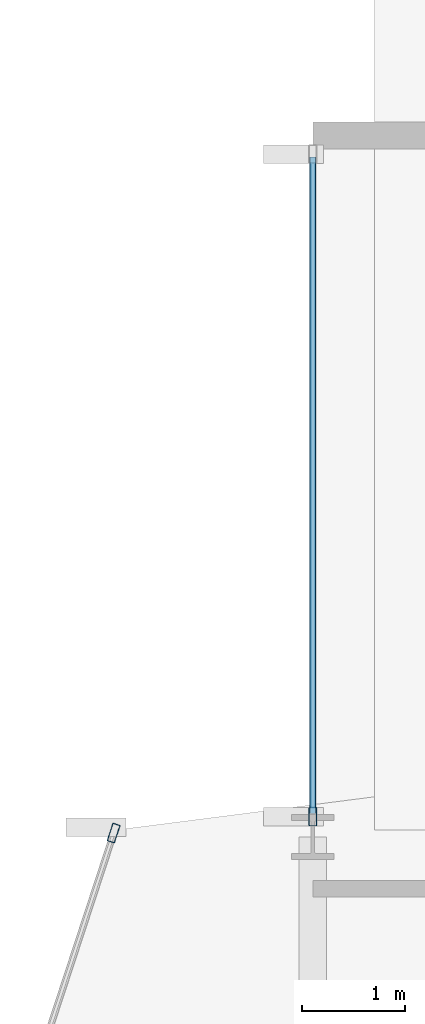
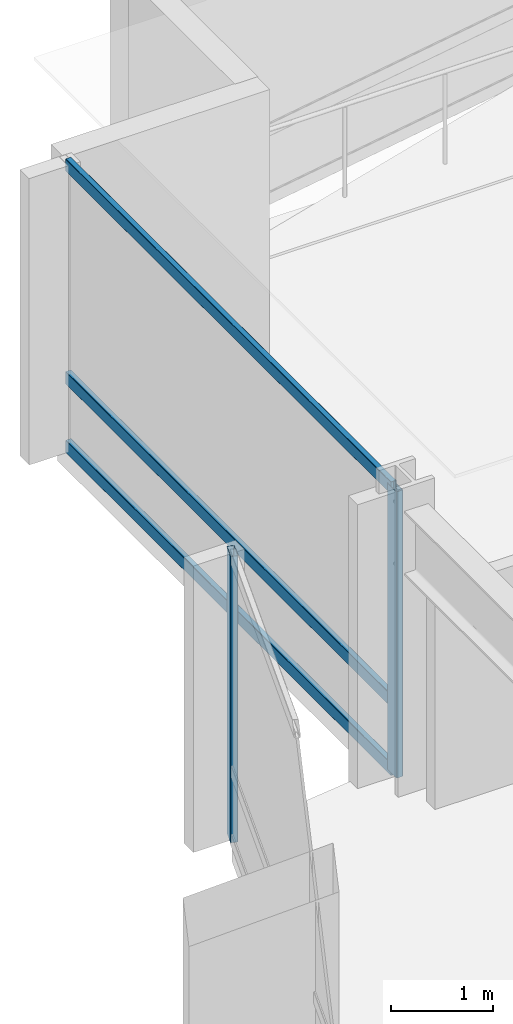
# One storey, part 16 of 29: 5 members, 2 elements without a shape of their own.
"""IFC4 building model written with IfcOpenShell, lengths in metres."""

from ifc_helpers import new_model, si_unit, direction, frame, origin, origin_2d, place, context, subcontext, project, spatial, hollow_rectangle, extrude, material, layer, layer_set, material_profile, profile_set, type_object, element, aggregate, save


model = new_model("IFC4")

# Units and contexts
model_context = context("Model", 3, precision=1e-05, world=origin(), true_north=direction((0.0, 1.0)))
body_context = subcontext(model_context, "Body", "Model", "MODEL_VIEW")
ifc_project = project(units=[si_unit("LENGTHUNIT", "METRE"), si_unit("AREAUNIT", "SQUARE_METRE"), si_unit("VOLUMEUNIT", "CUBIC_METRE"), si_unit("PLANEANGLEUNIT", "RADIAN"), si_unit("MASSUNIT", "GRAM", prefix="KILO")], contexts=[model_context])

# Site, building, storey
site_placement = place(None, origin())
site = spatial("IfcSite", under=ifc_project, at=site_placement, CompositionType="ELEMENT")
building_placement = place(site_placement, origin())
building = spatial("IfcBuilding", under=site, at=building_placement, Name="Solvaryn Broadcast Tower", CompositionType="ELEMENT")
storey_placement = place(building_placement, frame((0.0, 0.0, 143.300048828125)))
storey = spatial("IfcBuildingStorey", under=building, at=storey_placement, Name="L35", CompositionType="ELEMENT", Elevation=143.300048828125)

# Curtain wall, member
ifc_material_1 = material(Name="Aluminium and Terracotta Unitised Curtain Wall", Category="masonry")
ifc_layer = layer(ifc_material_1, 0.199951171875)
ifc_layer_set = layer_set([ifc_layer], Name="CW-SYS2-LOWMID")
curtain_wall_type = type_object("IfcCurtainWallType", Name="CW-SYS2-LOWMID", PredefinedType="NOTDEFINED", material=ifc_layer_set)
curtain_wall_1_placement = place(storey_placement, origin())
curtain_wall_1 = element("IfcCurtainWall", 1, at=curtain_wall_1_placement, inside=storey, type_object=curtain_wall_type, Name="L35 Curtain Wall DR1", PredefinedType="NOTDEFINED")
ifc_material_2 = material(Name="Anodised Aluminium 6063-T6", Category="aluminium")
ifc_material_profile_1 = material_profile(ifc_material_2, hollow_rectangle(XDim=0.074951171875, YDim=0.179931640625, WallThickness=0.00390625, InnerFilletRadius=0.00390625, OuterFilletRadius=0.008056640625, at=origin_2d()))
ifc_profile_set_1 = profile_set([ifc_material_profile_1], Name="Anodised Aluminium 6063-T6")
member_type_1 = type_object("IfcMemberType", Name="CW-MUL-180", PredefinedType="MULLION", material=ifc_profile_set_1)
member_1_placement = place(storey_placement, frame((7.069580078125, 45.03857421875, 0.0), z_axis=(0.0, 0.0, 1.0), x_axis=(0.950198260794, -0.311646057547, 0.0)))
member_1 = element("IfcMember", 2, at=member_1_placement, type_object=member_type_1, Name="CWS2 mullion 1", PredefinedType="MULLION", context=body_context, shape_type="SweptSolid", body=[
    extrude(hollow_rectangle(XDim=0.074951171875, YDim=0.179931640625, WallThickness=0.00390625, InnerFilletRadius=0.00390625, OuterFilletRadius=0.008056640625, at=origin_2d()), origin(), (0.0, 0.0, 1.0), 3.419921875),
])
aggregate(curtain_wall_1, [member_1])

# Curtain wall, members
curtain_wall_2_placement = place(storey_placement, origin())
curtain_wall_2 = element("IfcCurtainWall", 3, at=curtain_wall_2_placement, inside=storey, type_object=curtain_wall_type, Name="L35 Curtain Wall W2", PredefinedType="NOTDEFINED")
member_2_placement = place(storey_placement, frame((9.0, 45.197021484375, 0.0), z_axis=(0.0, 0.0, 1.0), x_axis=(-1.0, 0.0, 0.0)))
member_2 = element("IfcMember", 4, at=member_2_placement, type_object=member_type_1, Name="CWS2 mullion 1", PredefinedType="MULLION", context=body_context, shape_type="SweptSolid", body=[
    extrude(hollow_rectangle(XDim=0.074951171875, YDim=0.179931640625, WallThickness=0.00390625, InnerFilletRadius=0.00390625, OuterFilletRadius=0.008056640625, at=origin_2d()), origin(), (0.0, 0.0, 1.0), 3.419921875),
])
ifc_material_3 = material(Name="Anodised Aluminium 6063-T6", Category="aluminium")
ifc_material_profile_2 = material_profile(ifc_material_3, hollow_rectangle(XDim=0.06494140625, YDim=0.14990234375, WallThickness=0.00390625, InnerFilletRadius=0.00390625, OuterFilletRadius=0.008056640625, at=origin_2d()))
ifc_profile_set_2 = profile_set([ifc_material_profile_2], Name="Anodised Aluminium 6063-T6")
member_type_2 = type_object("IfcMemberType", Name="CW-TRN-150", PredefinedType="USERDEFINED", material=ifc_profile_set_2)
member_3_placement = place(storey_placement, frame((9.0, 45.22705078125, 0.030029296875), z_axis=(0.0, 1.0, 0.0), x_axis=(-1.0, 0.0, 0.0)))
member_3 = element("IfcMember", 5, at=member_3_placement, type_object=member_type_2, Name="CWS2 transom 1.1", ObjectType="TRANSOM", PredefinedType="USERDEFINED", context=body_context, shape_type="SweptSolid", body=[
    extrude(hollow_rectangle(XDim=0.06494140625, YDim=0.14990234375, WallThickness=0.00390625, InnerFilletRadius=0.00390625, OuterFilletRadius=0.008056640625, at=origin_2d()), origin(), (0.0, 0.0, 1.0), 6.363037109375),
])
member_4_placement = place(storey_placement, frame((9.0, 45.22705078125, 0.849853515625), z_axis=(0.0, 1.0, 0.0), x_axis=(-1.0, 0.0, 0.0)))
member_4 = element("IfcMember", 6, at=member_4_placement, type_object=member_type_2, Name="CWS2 transom 1.2", ObjectType="TRANSOM", PredefinedType="USERDEFINED", context=body_context, shape_type="SweptSolid", body=[
    extrude(hollow_rectangle(XDim=0.06494140625, YDim=0.14990234375, WallThickness=0.00390625, InnerFilletRadius=0.00390625, OuterFilletRadius=0.008056640625, at=origin_2d()), origin(), (0.0, 0.0, 1.0), 6.363037109375),
])
member_5_placement = place(storey_placement, frame((9.0, 45.22705078125, 3.389892578125), z_axis=(0.0, 1.0, 0.0), x_axis=(-1.0, 0.0, 0.0)))
member_5 = element("IfcMember", 7, at=member_5_placement, type_object=member_type_2, Name="CWS2 transom 1.3", ObjectType="TRANSOM", PredefinedType="USERDEFINED", context=body_context, shape_type="SweptSolid", body=[
    extrude(hollow_rectangle(XDim=0.06494140625, YDim=0.14990234375, WallThickness=0.00390625, InnerFilletRadius=0.00390625, OuterFilletRadius=0.008056640625, at=origin_2d()), origin(), (0.0, 0.0, 1.0), 6.363037109375),
])
aggregate(curtain_wall_2, [member_2, member_3, member_4, member_5])

save(model, "model.ifc")
